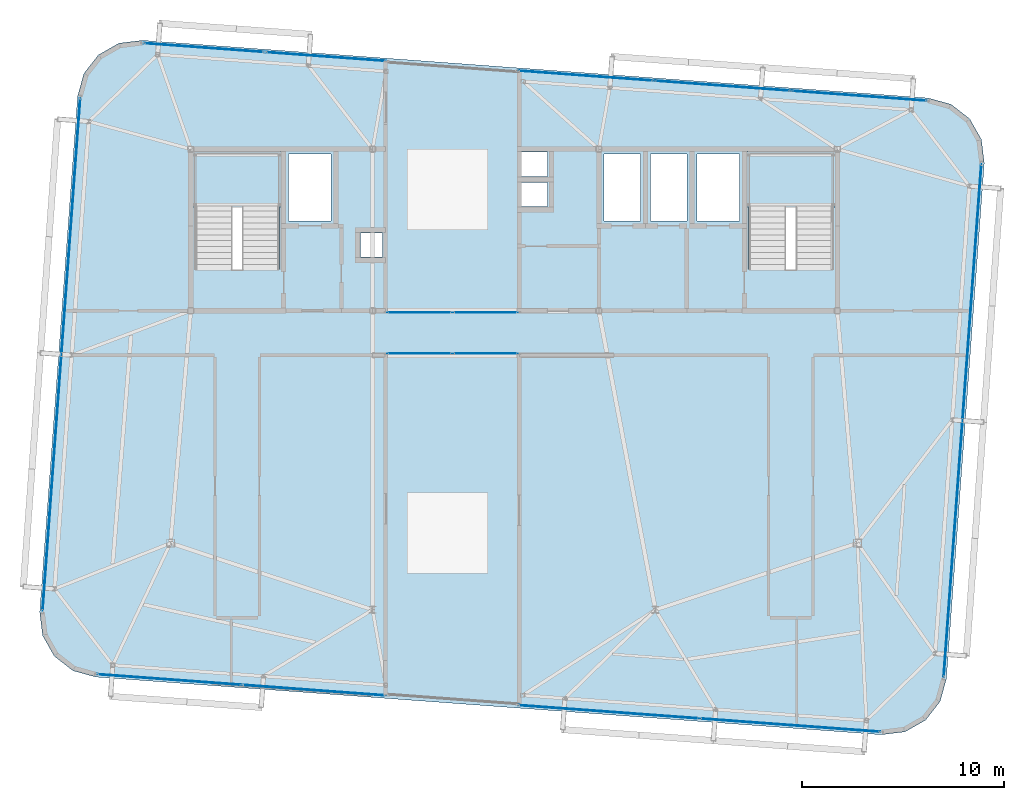
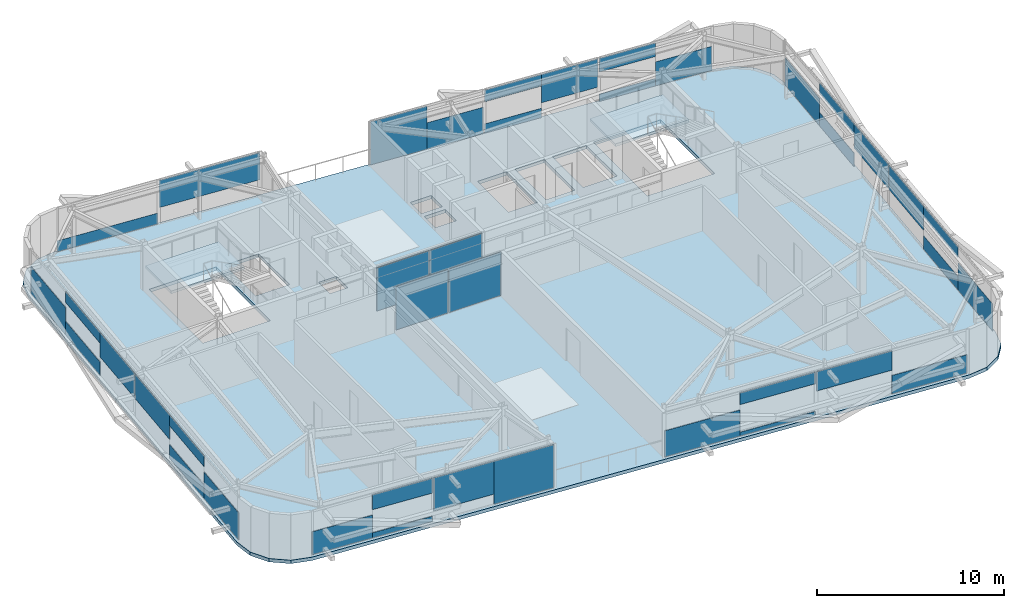
# One storey, part 24 of 36: 40 plates, 3 slabs, 10 elements without a shape of their own.
"""IFC4 building model written with IfcOpenShell, lengths in metres."""

from ifc_helpers import new_model, si_unit, direction, frame, origin, origin_2d, place, context, subcontext, project, spatial, polyline, rectangle, outline, extrude, source, transform, mapped, material, layer, layer_set, type_object, element, aggregate, save


model = new_model("IFC4")

# Units and contexts
model_context = context("Model", 3, precision=1e-05, world=origin(), true_north=direction((0.0, 1.0)))
body_context = subcontext(model_context, "Body", "Model", "MODEL_VIEW")
ifc_project = project(units=[si_unit("LENGTHUNIT", "METRE"), si_unit("AREAUNIT", "SQUARE_METRE"), si_unit("VOLUMEUNIT", "CUBIC_METRE"), si_unit("PLANEANGLEUNIT", "RADIAN"), si_unit("MASSUNIT", "GRAM", prefix="KILO")], contexts=[model_context])

# Site, building, storey
site_placement = place(None, origin())
site = spatial("IfcSite", under=ifc_project, at=site_placement, CompositionType="ELEMENT")
building_placement = place(site_placement, origin())
building = spatial("IfcBuilding", under=site, at=building_placement, Name="Taldren Reach Tower", CompositionType="ELEMENT")
storey_placement = place(building_placement, frame((0.0, 0.0, 227.14990234375)))
storey = spatial("IfcBuildingStorey", under=building, at=storey_placement, Name="L69", CompositionType="ELEMENT", Elevation=227.14990234375)

# Slab
ifc_material_1 = material(Name="Concrete N40 (40 MPa)", Category="concrete")
ifc_layer_1 = layer(ifc_material_1, 0.219970703125)
ifc_layer_set_1 = layer_set([ifc_layer_1], Name="Concrete N40 (40 MPa)")
slab_type_1 = type_object("IfcSlabType", Name="SL-FLR-220", PredefinedType="FLOOR", material=ifc_layer_set_1)
slab_1_placement = place(storey_placement, frame((0.0, 0.0, -0.219970703125)))
element("IfcSlab", 1, at=slab_1_placement, inside=storey, type_object=slab_type_1, Name="Suspended floor slab L69", PredefinedType="FLOOR", context=body_context, shape_type="SweptSolid", body=[
    extrude(outline(polyline([(53.1904296875, 3.014404296875), (54.35205078125, 3.157958984375), (55.370361328125, 3.7353515625), (56.09033203125, 4.658203125), (56.402099609375, 5.78662109375), (58.277099609375, 31.31787109375), (58.13330078125, 32.4794921875), (57.55615234375, 33.497802734375), (56.633056640625, 34.217529296875), (55.5048828125, 34.529541015625), (16.609619140625, 37.3857421875), (15.44775390625, 37.241943359375), (14.429443359375, 36.664794921875), (13.709716796875, 35.74169921875), (13.39794921875, 34.613525390625), (11.52294921875, 9.082275390625), (11.666748046875, 7.920654296875), (12.243896484375, 6.90234375), (13.1669921875, 6.182373046875), (14.295166015625, 5.87060546875), (53.1904296875, 3.014404296875)]), holes=[polyline([(19.219970703125, 26.050048828125), (23.3798828125, 26.050048828125), (23.3798828125, 31.820068359375), (19.219970703125, 31.820068359375), (19.219970703125, 26.050048828125)]), polyline([(46.6201171875, 26.050048828125), (50.780029296875, 26.050048828125), (50.780029296875, 31.820068359375), (46.6201171875, 31.820068359375), (46.6201171875, 26.050048828125)]), polyline([(23.85009765625, 28.449951171875), (25.949951171875, 28.449951171875), (25.949951171875, 31.75), (23.85009765625, 31.75), (23.85009765625, 28.449951171875)]), polyline([(44.050048828125, 28.449951171875), (46.14990234375, 28.449951171875), (46.14990234375, 31.75), (44.050048828125, 31.75), (44.050048828125, 28.449951171875)]), polyline([(39.449951171875, 28.449951171875), (41.25, 28.449951171875), (41.25, 31.75), (39.449951171875, 31.75), (39.449951171875, 28.449951171875)]), polyline([(41.75, 28.449951171875), (43.550048828125, 28.449951171875), (43.550048828125, 31.75), (41.75, 31.75), (41.75, 28.449951171875)]), polyline([(35.35009765625, 30.64990234375), (36.64990234375, 30.64990234375), (36.64990234375, 31.85009765625), (35.35009765625, 31.85009765625), (35.35009765625, 30.64990234375)]), polyline([(35.35009765625, 29.14990234375), (36.64990234375, 29.14990234375), (36.64990234375, 30.35009765625), (35.35009765625, 30.35009765625), (35.35009765625, 29.14990234375)]), polyline([(27.39990234375, 26.64990234375), (28.5, 26.64990234375), (28.5, 27.85009765625), (27.39990234375, 27.85009765625), (27.39990234375, 26.64990234375)])]), origin(), (0.0, 0.0, 1.0), 0.219970703125),
])

# Stair, slab
ifc_material_2 = material(Name="Concrete S50 (50 MPa)", Category="concrete")
stair_type = type_object("IfcStairType", Name="ST-HT-315", PredefinedType="HALF_TURN_STAIR", material=ifc_material_2)
stair_1_placement = place(storey_placement, origin())
stair_1 = element("IfcStair", 2, at=stair_1_placement, inside=storey, type_object=stair_type, Name="Fire-isolated exit stair ST1 L69", PredefinedType="HALF_TURN_STAIR")
ifc_layer_2 = layer(ifc_material_2, 0.179931640625)
ifc_layer_set_2 = layer_set([ifc_layer_2], Name="Concrete S50 (50 MPa)")
slab_type_2 = type_object("IfcSlabType", Name="SL-LAND-180", PredefinedType="LANDING", material=ifc_layer_set_2)
slab_2_placement = place(storey_placement, frame((0.0, 0.0, 1.39501953125)))
slab_2 = element("IfcSlab", 3, at=slab_2_placement, type_object=slab_type_2, Name="ST1 landing 1", PredefinedType="LANDING", context=body_context, shape_type="SweptSolid", body=[
    extrude(outline(polyline([(19.0400390625, 29.135009765625), (23.56005859375, 29.135009765625), (23.56005859375, 31.8701171875), (19.0400390625, 31.8701171875), (19.0400390625, 29.135009765625)])), origin(), (0.0, 0.0, 1.0), 0.18017578125),
])
aggregate(stair_1, [slab_2])

stair_2_placement = place(storey_placement, origin())
stair_2 = element("IfcStair", 4, at=stair_2_placement, inside=storey, type_object=stair_type, Name="Fire-isolated exit stair ST2 L69", PredefinedType="HALF_TURN_STAIR")
slab_3_placement = place(storey_placement, frame((0.0, 0.0, 1.39501953125)))
slab_3 = element("IfcSlab", 5, at=slab_3_placement, type_object=slab_type_2, Name="ST2 landing 1", PredefinedType="LANDING", context=body_context, shape_type="SweptSolid", body=[
    extrude(outline(polyline([(46.43994140625, 29.135009765625), (50.9599609375, 29.135009765625), (50.9599609375, 31.8701171875), (46.43994140625, 31.8701171875), (46.43994140625, 29.135009765625)])), origin(), (0.0, 0.0, 1.0), 0.18017578125),
])
aggregate(stair_2, [slab_3])

# Curtain wall, plates
ifc_material_3 = material(Name="Aluminium and Low-E Glass Unitised System", Category="aluminium")
ifc_layer_3 = layer(ifc_material_3, 0.159912109375)
ifc_layer_set_3 = layer_set([ifc_layer_3], Name="Aluminium and Low-E Glass Unitised System")
curtain_wall_type = type_object("IfcCurtainWallType", Name="CW-SYS-7", PredefinedType="NOTDEFINED", material=ifc_layer_set_3)
curtain_wall_1_placement = place(storey_placement, origin())
curtain_wall_1 = element("IfcCurtainWall", 6, at=curtain_wall_1_placement, inside=storey, type_object=curtain_wall_type, Name="Unitised curtain wall CW7-L69-BRS", PredefinedType="NOTDEFINED")
ifc_material_4 = material(Name="Acoustic Triple-Laminated IGU", Category="glass")
ifc_layer_4 = layer(ifc_material_4, 0.035888671875)
ifc_layer_set_4 = layer_set([ifc_layer_4], Name="Acoustic Triple-Laminated IGU")
plate_type = type_object("IfcPlateType", Name="CW-PNL-IGU36", PredefinedType="CURTAIN_PANEL", material=ifc_layer_set_4)
shared_shape_1 = source(origin(), body_context, "Body", "SweptSolid", [
    extrude(rectangle(XDim=3.197509765625, YDim=0.035888671875, at=origin_2d()), origin(), (0.0, 0.0, 1.0), 2.81005859375),
])
plate_1_placement = place(storey_placement, frame((30.313720703125, 21.8798828125, 0.06005859375), z_axis=(0.0, 0.0, 1.0), x_axis=(1.0, 0.0, 0.0)))
plate_1 = element("IfcPlate", 7, at=plate_1_placement, type_object=plate_type, Name="CW-7 panel 1.1", PredefinedType="CURTAIN_PANEL", context=body_context, shape_type="MappedRepresentation", body=[
    mapped(shared_shape_1, transform((0.0, 0.0, 0.0), scale=1.0)),
])
plate_2_placement = place(storey_placement, frame((33.586181640625, 21.8798828125, 0.06005859375), z_axis=(0.0, 0.0, 1.0), x_axis=(1.0, 0.0, 0.0)))
plate_2 = element("IfcPlate", 8, at=plate_2_placement, type_object=plate_type, Name="CW-7 panel 2.1", PredefinedType="CURTAIN_PANEL", context=body_context, shape_type="MappedRepresentation", body=[
    mapped(shared_shape_1, transform((0.0, 0.0, 0.0), scale=1.0)),
])
aggregate(curtain_wall_1, [plate_1, plate_2])

curtain_wall_2_placement = place(storey_placement, origin())
curtain_wall_2 = element("IfcCurtainWall", 9, at=curtain_wall_2_placement, inside=storey, type_object=curtain_wall_type, Name="Unitised curtain wall CW7-L69-BRN", PredefinedType="NOTDEFINED")
plate_3_placement = place(storey_placement, frame((33.586181640625, 23.919921875, 0.06005859375), z_axis=(0.0, 0.0, 1.0), x_axis=(-1.0, 0.0, 0.0)))
plate_3 = element("IfcPlate", 10, at=plate_3_placement, type_object=plate_type, Name="CW-7 panel 1.1", PredefinedType="CURTAIN_PANEL", context=body_context, shape_type="MappedRepresentation", body=[
    mapped(shared_shape_1, transform((0.0, 0.0, 0.0), scale=1.0)),
])
plate_4_placement = place(storey_placement, frame((30.313720703125, 23.919921875, 0.06005859375), z_axis=(0.0, 0.0, 1.0), x_axis=(-1.0, 0.0, 0.0)))
plate_4 = element("IfcPlate", 11, at=plate_4_placement, type_object=plate_type, Name="CW-7 panel 2.1", PredefinedType="CURTAIN_PANEL", context=body_context, shape_type="MappedRepresentation", body=[
    mapped(shared_shape_1, transform((0.0, 0.0, 0.0), scale=1.0)),
])
aggregate(curtain_wall_2, [plate_3, plate_4])

curtain_wall_3_placement = place(storey_placement, origin())
curtain_wall_3 = element("IfcCurtainWall", 12, at=curtain_wall_3_placement, inside=storey, type_object=curtain_wall_type, Name="Unitised curtain wall CW-L69-SWING", PredefinedType="NOTDEFINED")
shared_shape_2 = source(origin(), body_context, "Body", "SweptSolid", [
    extrude(rectangle(XDim=3.564697265625, YDim=0.035888671875, at=origin_2d()), origin(), (0.0, 0.0, 1.0), 1.49169921875),
])
plate_5_placement = place(storey_placement, frame((16.15771484375, 5.874267578125, 0.06005859375), z_axis=(0.0, 0.0, 1.0), x_axis=(0.997314480811, -0.073238148285, 0.0)))
plate_5 = element("IfcPlate", 13, at=plate_5_placement, type_object=plate_type, Name="CW-7 panel 1.1 part 1", PredefinedType="CURTAIN_PANEL", context=body_context, shape_type="MappedRepresentation", body=[
    mapped(shared_shape_2, transform((0.0, 0.0, 0.0), scale=1.0)),
])
shared_shape_3 = source(origin(), body_context, "Body", "SweptSolid", [
    extrude(rectangle(XDim=3.564697265625, YDim=0.035888671875, at=origin_2d()), origin(), (0.0, 0.0, 1.0), 0.333740234375),
])
plate_6_placement = place(storey_placement, frame((19.712890625, 5.613037109375, 0.06005859375), z_axis=(0.0, 0.0, 1.0), x_axis=(0.997314480811, -0.073238148285, 0.0)))
plate_6 = element("IfcPlate", 14, at=plate_6_placement, type_object=plate_type, Name="CW-7 panel 1.1 part 2", PredefinedType="CURTAIN_PANEL", context=body_context, shape_type="MappedRepresentation", body=[
    mapped(shared_shape_3, transform((0.0, 0.0, 0.0), scale=1.0)),
])
shared_shape_4 = source(origin(), body_context, "Body", "SweptSolid", [
    extrude(rectangle(XDim=3.564697265625, YDim=0.035888671875, at=origin_2d()), origin(), (0.0, 0.0, 1.0), 0.966552734375),
])
plate_7_placement = place(storey_placement, frame((19.712890625, 5.613037109375, 1.9033203125), z_axis=(0.0, 0.0, 1.0), x_axis=(0.997314480811, -0.073238148285, 0.0)))
plate_7 = element("IfcPlate", 15, at=plate_7_placement, type_object=plate_type, Name="CW-7 panel 1.1 part 3", PredefinedType="CURTAIN_PANEL", context=body_context, shape_type="MappedRepresentation", body=[
    mapped(shared_shape_4, transform((0.0, 0.0, 0.0), scale=1.0)),
])
shared_shape_5 = source(origin(), body_context, "Body", "SweptSolid", [
    extrude(rectangle(XDim=3.564697265625, YDim=0.035888671875, at=origin_2d()), origin(), (0.0, 0.0, 1.0), 2.14892578125),
])
plate_8_placement = place(storey_placement, frame((23.342529296875, 5.346435546875, 0.72119140625), z_axis=(0.0, 0.0, 1.0), x_axis=(0.997314480811, -0.073238148285, 0.0)))
plate_8 = element("IfcPlate", 16, at=plate_8_placement, type_object=plate_type, Name="CW-7 panel 2.1 part 1", PredefinedType="CURTAIN_PANEL", context=body_context, shape_type="MappedRepresentation", body=[
    mapped(shared_shape_5, transform((0.0, 0.0, 0.0), scale=1.0)),
])
shared_shape_6 = source(origin(), body_context, "Body", "SweptSolid", [
    extrude(rectangle(XDim=3.564697265625, YDim=0.035888671875, at=origin_2d()), origin(), (0.0, 0.0, 1.0), 2.81005859375),
])
plate_9_placement = place(storey_placement, frame((26.897705078125, 5.08544921875, 0.06005859375), z_axis=(0.0, 0.0, 1.0), x_axis=(0.997314480811, -0.073238148285, 0.0)))
plate_9 = element("IfcPlate", 17, at=plate_9_placement, type_object=plate_type, Name="CW-7 panel 2.1 part 2", PredefinedType="CURTAIN_PANEL", context=body_context, shape_type="MappedRepresentation", body=[
    mapped(shared_shape_6, transform((0.0, 0.0, 0.0), scale=1.0)),
])
aggregate(curtain_wall_3, [plate_5, plate_6, plate_7, plate_8, plate_9])

curtain_wall_4_placement = place(storey_placement, origin())
curtain_wall_4 = element("IfcCurtainWall", 18, at=curtain_wall_4_placement, inside=storey, type_object=curtain_wall_type, Name="Unitised curtain wall CW-L69-SEWING", PredefinedType="NOTDEFINED")
shared_shape_7 = source(origin(), body_context, "Body", "SweptSolid", [
    extrude(rectangle(XDim=4.468505859375, YDim=0.035888671875, at=origin_2d()), origin(), (0.0, 0.0, 1.0), 1.697998046875),
])
plate_10_placement = place(storey_placement, frame((37.453125, 4.310302734375, 0.06005859375), z_axis=(0.0, 0.0, 1.0), x_axis=(0.997314485363, -0.073238086301, 0.0)))
plate_10 = element("IfcPlate", 19, at=plate_10_placement, type_object=plate_type, Name="CW-7 panel 1.1 part 1", PredefinedType="CURTAIN_PANEL", context=body_context, shape_type="MappedRepresentation", body=[
    mapped(shared_shape_7, transform((0.0, 0.0, 0.0), scale=1.0)),
])
shared_shape_8 = source(origin(), body_context, "Body", "SweptSolid", [
    extrude(rectangle(XDim=4.468505859375, YDim=0.035888671875, at=origin_2d()), origin(), (0.0, 0.0, 1.0), 0.246337890625),
])
plate_11_placement = place(storey_placement, frame((41.90966796875, 3.983154296875, 0.06005859375), z_axis=(0.0, 0.0, 1.0), x_axis=(0.997314485363, -0.073238086301, 0.0)))
plate_11 = element("IfcPlate", 20, at=plate_11_placement, type_object=plate_type, Name="CW-7 panel 1.1 part 2", PredefinedType="CURTAIN_PANEL", context=body_context, shape_type="MappedRepresentation", body=[
    mapped(shared_shape_8, transform((0.0, 0.0, 0.0), scale=1.0)),
])
shared_shape_9 = source(origin(), body_context, "Body", "SweptSolid", [
    extrude(rectangle(XDim=4.468505859375, YDim=0.035888671875, at=origin_2d()), origin(), (0.0, 0.0, 1.0), 0.76025390625),
])
plate_12_placement = place(storey_placement, frame((41.90966796875, 3.983154296875, 2.10986328125), z_axis=(0.0, 0.0, 1.0), x_axis=(0.997314485363, -0.073238086301, 0.0)))
plate_12 = element("IfcPlate", 21, at=plate_12_placement, type_object=plate_type, Name="CW-7 panel 1.1 part 3", PredefinedType="CURTAIN_PANEL", context=body_context, shape_type="MappedRepresentation", body=[
    mapped(shared_shape_9, transform((0.0, 0.0, 0.0), scale=1.0)),
])
shared_shape_10 = source(origin(), body_context, "Body", "SweptSolid", [
    extrude(rectangle(XDim=4.468505859375, YDim=0.035888671875, at=origin_2d()), origin(), (0.0, 0.0, 1.0), 1.26025390625),
])
plate_13_placement = place(storey_placement, frame((46.441162109375, 3.650390625, 1.60986328125), z_axis=(0.0, 0.0, 1.0), x_axis=(0.997314485363, -0.073238086301, 0.0)))
plate_13 = element("IfcPlate", 22, at=plate_13_placement, type_object=plate_type, Name="CW-7 panel 2.1 part 1", PredefinedType="CURTAIN_PANEL", context=body_context, shape_type="MappedRepresentation", body=[
    mapped(shared_shape_10, transform((0.0, 0.0, 0.0), scale=1.0)),
])
shared_shape_11 = source(origin(), body_context, "Body", "SweptSolid", [
    extrude(rectangle(XDim=4.468505859375, YDim=0.035888671875, at=origin_2d()), origin(), (0.0, 0.0, 1.0), 1.197998046875),
])
plate_14_placement = place(storey_placement, frame((50.897705078125, 3.322998046875, 0.06005859375), z_axis=(0.0, 0.0, 1.0), x_axis=(0.997314485363, -0.073238086301, 0.0)))
plate_14 = element("IfcPlate", 23, at=plate_14_placement, type_object=plate_type, Name="CW-7 panel 2.1 part 2", PredefinedType="CURTAIN_PANEL", context=body_context, shape_type="MappedRepresentation", body=[
    mapped(shared_shape_11, transform((0.0, 0.0, 0.0), scale=1.0)),
])
aggregate(curtain_wall_4, [plate_10, plate_11, plate_12, plate_13, plate_14])

curtain_wall_5_placement = place(storey_placement, origin())
curtain_wall_5 = element("IfcCurtainWall", 24, at=curtain_wall_5_placement, inside=storey, type_object=curtain_wall_type, Name="Unitised curtain wall CW-L69-NEWING", PredefinedType="NOTDEFINED")
shared_shape_12 = source(origin(), body_context, "Body", "SweptSolid", [
    extrude(rectangle(XDim=3.34375, YDim=0.035888671875, at=origin_2d()), origin(), (0.0, 0.0, 1.0), 1.5634765625),
])
plate_15_placement = place(storey_placement, frame((53.75244140625, 34.517822265625, 0.06005859375), z_axis=(0.0, 0.0, 1.0), x_axis=(-0.997314475893, 0.073238215265, 0.0)))
plate_15 = element("IfcPlate", 25, at=plate_15_placement, type_object=plate_type, Name="CW-7 panel 1.1 part 1", PredefinedType="CURTAIN_PANEL", context=body_context, shape_type="MappedRepresentation", body=[
    mapped(shared_shape_12, transform((0.0, 0.0, 0.0), scale=1.0)),
])
shared_shape_13 = source(origin(), body_context, "Body", "SweptSolid", [
    extrude(rectangle(XDim=3.34375, YDim=0.035888671875, at=origin_2d()), origin(), (0.0, 0.0, 1.0), 0.477294921875),
])
plate_16_placement = place(storey_placement, frame((50.417724609375, 34.7626953125, 0.06005859375), z_axis=(0.0, 0.0, 1.0), x_axis=(-0.997314475893, 0.073238215265, 0.0)))
plate_16 = element("IfcPlate", 26, at=plate_16_placement, type_object=plate_type, Name="CW-7 panel 1.1 part 2", PredefinedType="CURTAIN_PANEL", context=body_context, shape_type="MappedRepresentation", body=[
    mapped(shared_shape_13, transform((0.0, 0.0, 0.0), scale=1.0)),
])
shared_shape_14 = source(origin(), body_context, "Body", "SweptSolid", [
    extrude(rectangle(XDim=3.34375, YDim=0.035888671875, at=origin_2d()), origin(), (0.0, 0.0, 1.0), 0.894775390625),
])
plate_17_placement = place(storey_placement, frame((50.417724609375, 34.7626953125, 1.97509765625), z_axis=(0.0, 0.0, 1.0), x_axis=(-0.997314475893, 0.073238215265, 0.0)))
plate_17 = element("IfcPlate", 27, at=plate_17_placement, type_object=plate_type, Name="CW-7 panel 1.1 part 3", PredefinedType="CURTAIN_PANEL", context=body_context, shape_type="MappedRepresentation", body=[
    mapped(shared_shape_14, transform((0.0, 0.0, 0.0), scale=1.0)),
])
shared_shape_15 = source(origin(), body_context, "Body", "SweptSolid", [
    extrude(rectangle(XDim=3.3623046875, YDim=0.035888671875, at=origin_2d()), origin(), (0.0, 0.0, 1.0), 1.8505859375),
])
plate_18_placement = place(storey_placement, frame((46.9990234375, 35.013671875, 1.01953125), z_axis=(0.0, 0.0, 1.0), x_axis=(-0.997314475893, 0.073238215265, 0.0)))
plate_18 = element("IfcPlate", 28, at=plate_18_placement, type_object=plate_type, Name="CW-7 panel 2.1 part 1", PredefinedType="CURTAIN_PANEL", context=body_context, shape_type="MappedRepresentation", body=[
    mapped(shared_shape_15, transform((0.0, 0.0, 0.0), scale=1.0)),
])
shared_shape_16 = source(origin(), body_context, "Body", "SweptSolid", [
    extrude(rectangle(XDim=3.3623046875, YDim=0.035888671875, at=origin_2d()), origin(), (0.0, 0.0, 1.0), 0.607666015625),
])
plate_19_placement = place(storey_placement, frame((43.6455078125, 35.260009765625, 0.06005859375), z_axis=(0.0, 0.0, 1.0), x_axis=(-0.997314475893, 0.073238215265, 0.0)))
plate_19 = element("IfcPlate", 29, at=plate_19_placement, type_object=plate_type, Name="CW-7 panel 2.1 part 2", PredefinedType="CURTAIN_PANEL", context=body_context, shape_type="MappedRepresentation", body=[
    mapped(shared_shape_16, transform((0.0, 0.0, 0.0), scale=1.0)),
])
shared_shape_17 = source(origin(), body_context, "Body", "SweptSolid", [
    extrude(rectangle(XDim=3.3623046875, YDim=0.035888671875, at=origin_2d()), origin(), (0.0, 0.0, 1.0), 0.75830078125),
])
plate_20_placement = place(storey_placement, frame((43.6455078125, 35.260009765625, 2.11181640625), z_axis=(0.0, 0.0, 1.0), x_axis=(-0.997314475893, 0.073238215265, 0.0)))
plate_20 = element("IfcPlate", 30, at=plate_20_placement, type_object=plate_type, Name="CW-7 panel 2.1 part 3", PredefinedType="CURTAIN_PANEL", context=body_context, shape_type="MappedRepresentation", body=[
    mapped(shared_shape_17, transform((0.0, 0.0, 0.0), scale=1.0)),
])
shared_shape_18 = source(origin(), body_context, "Body", "SweptSolid", [
    extrude(rectangle(XDim=3.34375, YDim=0.035888671875, at=origin_2d()), origin(), (0.0, 0.0, 1.0), 1.724365234375),
])
plate_21_placement = place(storey_placement, frame((40.226806640625, 35.510986328125, 0.06005859375), z_axis=(0.0, 0.0, 1.0), x_axis=(-0.997314475893, 0.073238215265, 0.0)))
plate_21 = element("IfcPlate", 31, at=plate_21_placement, type_object=plate_type, Name="CW-7 panel 3.1 part 1", PredefinedType="CURTAIN_PANEL", context=body_context, shape_type="MappedRepresentation", body=[
    mapped(shared_shape_18, transform((0.0, 0.0, 0.0), scale=1.0)),
])
shared_shape_19 = source(origin(), body_context, "Body", "SweptSolid", [
    extrude(rectangle(XDim=3.34375, YDim=0.035888671875, at=origin_2d()), origin(), (0.0, 0.0, 1.0), 2.81005859375),
])
plate_22_placement = place(storey_placement, frame((36.89208984375, 35.755859375, 0.06005859375), z_axis=(0.0, 0.0, 1.0), x_axis=(-0.997314475893, 0.073238215265, 0.0)))
plate_22 = element("IfcPlate", 32, at=plate_22_placement, type_object=plate_type, Name="CW-7 panel 3.1 part 2", PredefinedType="CURTAIN_PANEL", context=body_context, shape_type="MappedRepresentation", body=[
    mapped(shared_shape_19, transform((0.0, 0.0, 0.0), scale=1.0)),
])
aggregate(curtain_wall_5, [plate_15, plate_16, plate_17, plate_18, plate_19, plate_20, plate_21, plate_22])

curtain_wall_6_placement = place(storey_placement, origin())
curtain_wall_6 = element("IfcCurtainWall", 33, at=curtain_wall_6_placement, inside=storey, type_object=curtain_wall_type, Name="Unitised curtain wall CW-L69-NWING", PredefinedType="NOTDEFINED")
shared_shape_20 = source(origin(), body_context, "Body", "SweptSolid", [
    extrude(rectangle(XDim=5.979248046875, YDim=0.035888671875, at=origin_2d()), origin(), (0.0, 0.0, 1.0), 1.775390625),
])
plate_23_placement = place(storey_placement, frame((25.693603515625, 36.578125, 1.0947265625), z_axis=(0.0, 0.0, 1.0), x_axis=(-0.99731449581, 0.073237944038, 0.0)))
plate_23 = element("IfcPlate", 34, at=plate_23_placement, type_object=plate_type, Name="CW-7 panel 1.1 part 1", PredefinedType="CURTAIN_PANEL", context=body_context, shape_type="MappedRepresentation", body=[
    mapped(shared_shape_20, transform((0.0, 0.0, 0.0), scale=1.0)),
])
shared_shape_21 = source(origin(), body_context, "Body", "SweptSolid", [
    extrude(rectangle(XDim=5.979248046875, YDim=0.035888671875, at=origin_2d()), origin(), (0.0, 0.0, 1.0), 0.707275390625),
])
plate_24_placement = place(storey_placement, frame((19.65576171875, 37.021728515625, 0.06005859375), z_axis=(0.0, 0.0, 1.0), x_axis=(-0.99731449581, 0.073237944038, 0.0)))
plate_24 = element("IfcPlate", 35, at=plate_24_placement, type_object=plate_type, Name="CW-7 panel 2.1 part 1", PredefinedType="CURTAIN_PANEL", context=body_context, shape_type="MappedRepresentation", body=[
    mapped(shared_shape_21, transform((0.0, 0.0, 0.0), scale=1.0)),
])
aggregate(curtain_wall_6, [plate_23, plate_24])

curtain_wall_7_placement = place(storey_placement, origin())
curtain_wall_7 = element("IfcCurtainWall", 36, at=curtain_wall_7_placement, inside=storey, type_object=curtain_wall_type, Name="Unitised curtain wall CW-L69-W", PredefinedType="NOTDEFINED")
shared_shape_22 = source(origin(), body_context, "Body", "SweptSolid", [
    extrude(rectangle(XDim=4.229248046875, YDim=0.035888671875, at=origin_2d()), origin(), (0.0, 0.0, 1.0), 1.768798828125),
])
plate_25_placement = place(storey_placement, frame((13.377197265625, 32.41943359375, 0.06005859375), z_axis=(0.0, 0.0, 1.0), x_axis=(-0.073238282558, -0.997314470951, 0.0)))
plate_25 = element("IfcPlate", 37, at=plate_25_placement, type_object=plate_type, Name="CW-7 panel 1.1 part 1", PredefinedType="CURTAIN_PANEL", context=body_context, shape_type="MappedRepresentation", body=[
    mapped(shared_shape_22, transform((0.0, 0.0, 0.0), scale=1.0)),
])
plate_26_placement = place(storey_placement, frame((11.822998046875, 11.255615234375, 0.06005859375), z_axis=(0.0, 0.0, 1.0), x_axis=(-0.073238282558, -0.997314470951, 0.0)))
plate_26 = element("IfcPlate", 38, at=plate_26_placement, type_object=plate_type, Name="CW-7 panel 2.1 part 4", PredefinedType="CURTAIN_PANEL", context=body_context, shape_type="MappedRepresentation", body=[
    mapped(shared_shape_22, transform((0.0, 0.0, 0.0), scale=1.0)),
])

curtain_wall_8_placement = place(storey_placement, origin())
curtain_wall_8 = element("IfcCurtainWall", 39, at=curtain_wall_8_placement, inside=storey, type_object=curtain_wall_type, Name="Unitised curtain wall CW-L69-E", PredefinedType="NOTDEFINED")
plate_27_placement = place(storey_placement, frame((56.4228515625, 7.98046875, 0.06005859375), z_axis=(0.0, 0.0, 1.0), x_axis=(0.073238282558, 0.997314470951, 0.0)))
plate_27 = element("IfcPlate", 40, at=plate_27_placement, type_object=plate_type, Name="CW-7 panel 1.1 part 1", PredefinedType="CURTAIN_PANEL", context=body_context, shape_type="MappedRepresentation", body=[
    mapped(shared_shape_22, transform((0.0, 0.0, 0.0), scale=1.0)),
])
plate_28_placement = place(storey_placement, frame((57.97705078125, 29.144287109375, 0.06005859375), z_axis=(0.0, 0.0, 1.0), x_axis=(0.073238282558, 0.997314470951, 0.0)))
plate_28 = element("IfcPlate", 41, at=plate_28_placement, type_object=plate_type, Name="CW-7 panel 2.1 part 4", PredefinedType="CURTAIN_PANEL", context=body_context, shape_type="MappedRepresentation", body=[
    mapped(shared_shape_22, transform((0.0, 0.0, 0.0), scale=1.0)),
])

# Plate
shared_shape_23 = source(origin(), body_context, "Body", "SweptSolid", [
    extrude(rectangle(XDim=4.229248046875, YDim=0.035888671875, at=origin_2d()), origin(), (0.0, 0.0, 1.0), 0.8828125),
])
plate_29_placement = place(storey_placement, frame((13.0673828125, 28.20166015625, 0.06005859375), z_axis=(0.0, 0.0, 1.0), x_axis=(-0.073238282558, -0.997314470951, 0.0)))
plate_29 = element("IfcPlate", 42, at=plate_29_placement, type_object=plate_type, Name="CW-7 panel 1.1 part 2", PredefinedType="CURTAIN_PANEL", context=body_context, shape_type="MappedRepresentation", body=[
    mapped(shared_shape_23, transform((0.0, 0.0, 0.0), scale=1.0)),
])

plate_30_placement = place(storey_placement, frame((12.1328125, 15.473388671875, 0.06005859375), z_axis=(0.0, 0.0, 1.0), x_axis=(-0.073238282558, -0.997314470951, 0.0)))
plate_30 = element("IfcPlate", 43, at=plate_30_placement, type_object=plate_type, Name="CW-7 panel 2.1 part 2", PredefinedType="CURTAIN_PANEL", context=body_context, shape_type="MappedRepresentation", body=[
    mapped(shared_shape_23, transform((0.0, 0.0, 0.0), scale=1.0)),
])

plate_31_placement = place(storey_placement, frame((56.732666015625, 12.1982421875, 0.06005859375), z_axis=(0.0, 0.0, 1.0), x_axis=(0.073238282558, 0.997314470951, 0.0)))
plate_31 = element("IfcPlate", 44, at=plate_31_placement, type_object=plate_type, Name="CW-7 panel 1.1 part 2", PredefinedType="CURTAIN_PANEL", context=body_context, shape_type="MappedRepresentation", body=[
    mapped(shared_shape_23, transform((0.0, 0.0, 0.0), scale=1.0)),
])

plate_32_placement = place(storey_placement, frame((57.667236328125, 24.926513671875, 0.06005859375), z_axis=(0.0, 0.0, 1.0), x_axis=(0.073238282558, 0.997314470951, 0.0)))
plate_32 = element("IfcPlate", 45, at=plate_32_placement, type_object=plate_type, Name="CW-7 panel 2.1 part 2", PredefinedType="CURTAIN_PANEL", context=body_context, shape_type="MappedRepresentation", body=[
    mapped(shared_shape_23, transform((0.0, 0.0, 0.0), scale=1.0)),
])

shared_shape_24 = source(origin(), body_context, "Body", "SweptSolid", [
    extrude(rectangle(XDim=4.229248046875, YDim=0.035888671875, at=origin_2d()), origin(), (0.0, 0.0, 1.0), 0.69921875),
])
plate_33_placement = place(storey_placement, frame((13.0673828125, 28.20166015625, 2.1708984375), z_axis=(0.0, 0.0, 1.0), x_axis=(-0.073238282558, -0.997314470951, 0.0)))
plate_33 = element("IfcPlate", 46, at=plate_33_placement, type_object=plate_type, Name="CW-7 panel 1.1 part 3", PredefinedType="CURTAIN_PANEL", context=body_context, shape_type="MappedRepresentation", body=[
    mapped(shared_shape_24, transform((0.0, 0.0, 0.0), scale=1.0)),
])

plate_34_placement = place(storey_placement, frame((12.1328125, 15.473388671875, 2.1708984375), z_axis=(0.0, 0.0, 1.0), x_axis=(-0.073238282558, -0.997314470951, 0.0)))
plate_34 = element("IfcPlate", 47, at=plate_34_placement, type_object=plate_type, Name="CW-7 panel 2.1 part 3", PredefinedType="CURTAIN_PANEL", context=body_context, shape_type="MappedRepresentation", body=[
    mapped(shared_shape_24, transform((0.0, 0.0, 0.0), scale=1.0)),
])

plate_35_placement = place(storey_placement, frame((56.732666015625, 12.1982421875, 2.1708984375), z_axis=(0.0, 0.0, 1.0), x_axis=(0.073238282558, 0.997314470951, 0.0)))
plate_35 = element("IfcPlate", 48, at=plate_35_placement, type_object=plate_type, Name="CW-7 panel 1.1 part 3", PredefinedType="CURTAIN_PANEL", context=body_context, shape_type="MappedRepresentation", body=[
    mapped(shared_shape_24, transform((0.0, 0.0, 0.0), scale=1.0)),
])

plate_36_placement = place(storey_placement, frame((57.667236328125, 24.926513671875, 2.1708984375), z_axis=(0.0, 0.0, 1.0), x_axis=(0.073238282558, 0.997314470951, 0.0)))
plate_36 = element("IfcPlate", 49, at=plate_36_placement, type_object=plate_type, Name="CW-7 panel 2.1 part 3", PredefinedType="CURTAIN_PANEL", context=body_context, shape_type="MappedRepresentation", body=[
    mapped(shared_shape_24, transform((0.0, 0.0, 0.0), scale=1.0)),
])

shared_shape_25 = source(origin(), body_context, "Body", "SweptSolid", [
    extrude(rectangle(XDim=4.229248046875, YDim=0.035888671875, at=origin_2d()), origin(), (0.0, 0.0, 1.0), 1.585205078125),
])
plate_37_placement = place(storey_placement, frame((12.757568359375, 23.98388671875, 1.28466796875), z_axis=(0.0, 0.0, 1.0), x_axis=(-0.073238282558, -0.997314470951, 0.0)))
plate_37 = element("IfcPlate", 50, at=plate_37_placement, type_object=plate_type, Name="CW-7 panel 1.1 part 4", PredefinedType="CURTAIN_PANEL", context=body_context, shape_type="MappedRepresentation", body=[
    mapped(shared_shape_25, transform((0.0, 0.0, 0.0), scale=1.0)),
])

plate_38_placement = place(storey_placement, frame((12.4423828125, 19.69140625, 1.28466796875), z_axis=(0.0, 0.0, 1.0), x_axis=(-0.073238282558, -0.997314470951, 0.0)))
plate_38 = element("IfcPlate", 51, at=plate_38_placement, type_object=plate_type, Name="CW-7 panel 2.1 part 1", PredefinedType="CURTAIN_PANEL", context=body_context, shape_type="MappedRepresentation", body=[
    mapped(shared_shape_25, transform((0.0, 0.0, 0.0), scale=1.0)),
])

aggregate(curtain_wall_7, [plate_25, plate_29, plate_33, plate_37, plate_38, plate_30, plate_34, plate_26])

plate_39_placement = place(storey_placement, frame((57.042236328125, 16.416015625, 1.28466796875), z_axis=(0.0, 0.0, 1.0), x_axis=(0.073238282558, 0.997314470951, 0.0)))
plate_39 = element("IfcPlate", 52, at=plate_39_placement, type_object=plate_type, Name="CW-7 panel 1.1 part 4", PredefinedType="CURTAIN_PANEL", context=body_context, shape_type="MappedRepresentation", body=[
    mapped(shared_shape_25, transform((0.0, 0.0, 0.0), scale=1.0)),
])

plate_40_placement = place(storey_placement, frame((57.357666015625, 20.708740234375, 1.28466796875), z_axis=(0.0, 0.0, 1.0), x_axis=(0.073238282558, 0.997314470951, 0.0)))
plate_40 = element("IfcPlate", 53, at=plate_40_placement, type_object=plate_type, Name="CW-7 panel 2.1 part 1", PredefinedType="CURTAIN_PANEL", context=body_context, shape_type="MappedRepresentation", body=[
    mapped(shared_shape_25, transform((0.0, 0.0, 0.0), scale=1.0)),
])

aggregate(curtain_wall_8, [plate_27, plate_31, plate_35, plate_39, plate_40, plate_32, plate_36, plate_28])

save(model, "model.ifc")
